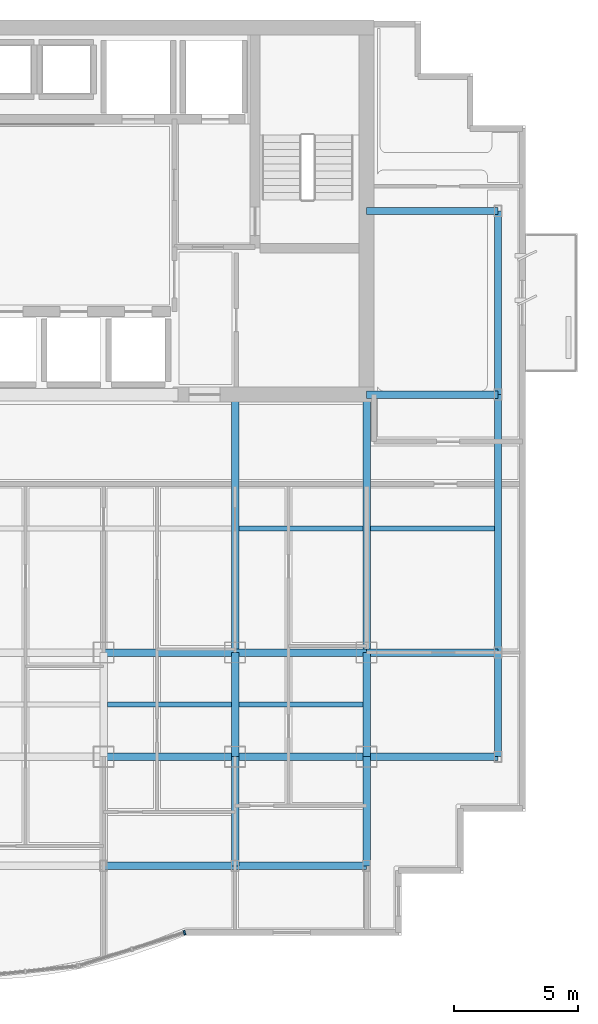
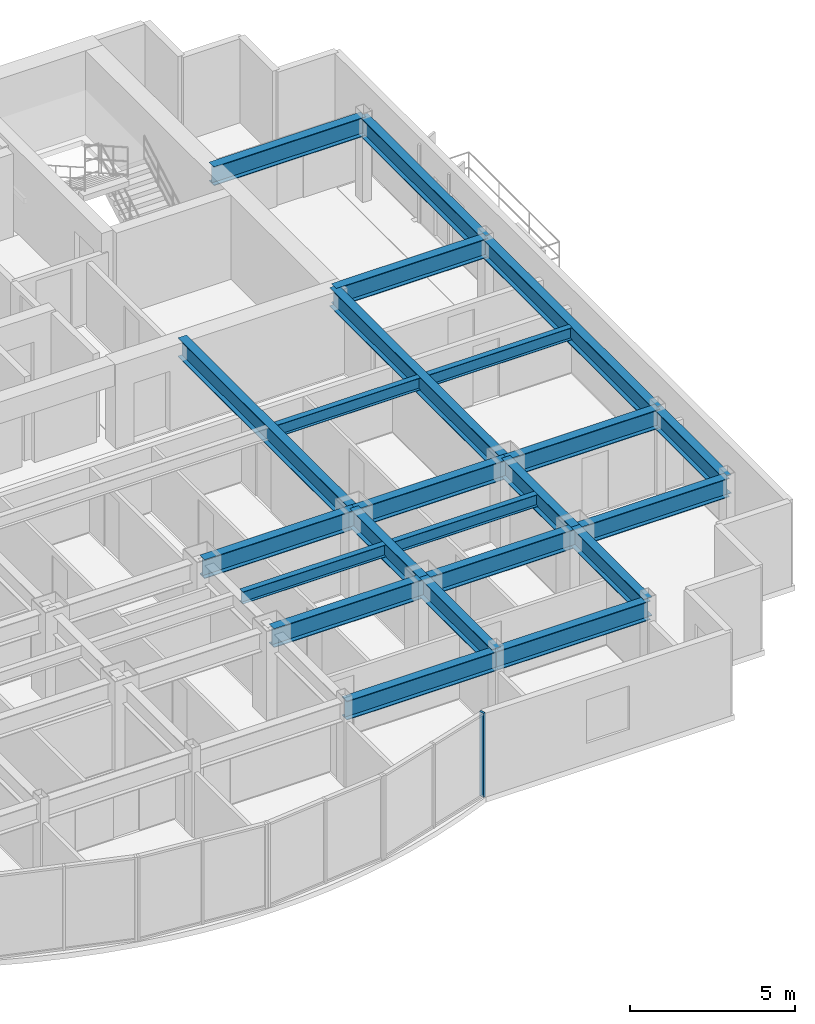
# One storey, part 4 of 11: 23 beams, 1 member, 1 element without a shape of its own.
"""IFC4 building model written with IfcOpenShell, lengths in metres."""

from ifc_helpers import new_model, si_unit, direction, frame, origin, origin_2d, place, context, subcontext, project, spatial, rectangle, i_section, extrude, source, transform, mapped, material, layer, layer_set, material_profile, profile_set, type_object, element, aggregate, save


model = new_model("IFC4")

# Units and contexts
model_context = context("Model", 3, precision=1e-05, world=origin(), true_north=direction((0.0, 1.0)))
body_context = subcontext(model_context, "Body", "Model", "MODEL_VIEW")
ifc_project = project(units=[si_unit("LENGTHUNIT", "METRE"), si_unit("AREAUNIT", "SQUARE_METRE"), si_unit("VOLUMEUNIT", "CUBIC_METRE"), si_unit("PLANEANGLEUNIT", "RADIAN"), si_unit("MASSUNIT", "GRAM", prefix="KILO")], contexts=[model_context])

# Site, building, storey
site_placement = place(None, origin())
site = spatial("IfcSite", under=ifc_project, at=site_placement, CompositionType="ELEMENT")
building_placement = place(site_placement, origin())
building = spatial("IfcBuilding", under=site, at=building_placement, Name="Qianlan Lanfeng Residences", CompositionType="ELEMENT")
storey_placement = place(building_placement, frame((0.0, 0.0, 175.5)))
storey = spatial("IfcBuildingStorey", under=building, at=storey_placement, Name="L48", CompositionType="ELEMENT", Elevation=175.5)

# Beams
ifc_material_1 = material(Name="Steel SN490B", Category="steel")
ifc_material_profile_1 = material_profile(ifc_material_1, i_section(OverallWidth=0.300048828125, OverallDepth=0.699951171875, WebThickness=0.012939453125, FlangeThickness=0.02392578125, at=origin_2d()), Name="H 700x300x13x24")
ifc_profile_set_1 = profile_set([ifc_material_profile_1], Name="Steel SN490B")
beam_type_1 = type_object("IfcBeamType", Name="G-750", PredefinedType="BEAM", material=ifc_profile_set_1)
beam_1_placement = place(storey_placement, frame((31.800048828125, 10.60009765625, 2.75), z_axis=(1.0, 0.0, 0.0), x_axis=(0.0, 1.0, 0.0)))
element("IfcBeam", 1, at=beam_1_placement, inside=storey, type_object=beam_type_1, Name="Structural beam G-750", PredefinedType="BEAM", context=body_context, shape_type="SweptSolid", body=[
    extrude(i_section(OverallWidth=0.300048828125, OverallDepth=0.699951171875, WebThickness=0.012939453125, FlangeThickness=0.02392578125, at=origin_2d()), origin(), (0.0, 0.0, 1.0), 5.300048828125),
])
beam_2_placement = place(storey_placement, frame((37.10009765625, 10.60009765625, 2.75), z_axis=(1.0, 0.0, 0.0), x_axis=(0.0, 1.0, 0.0)))
element("IfcBeam", 2, at=beam_2_placement, inside=storey, type_object=beam_type_1, Name="Structural beam G-750", PredefinedType="BEAM", context=body_context, shape_type="SweptSolid", body=[
    extrude(i_section(OverallWidth=0.300048828125, OverallDepth=0.699951171875, WebThickness=0.012939453125, FlangeThickness=0.02392578125, at=origin_2d()), origin(), (0.0, 0.0, 1.0), 5.2998046875),
])
for number, where, z_axis, x_axis, name in (
    (3, (42.39990234375, 10.60009765625, 2.75), (1.0, 0.0, 0.0), (0.0, 1.0, 0.0), "Structural beam G-750"),
    (4, (31.800048828125, 14.800048828125, 2.75), (1.0, 0.0, 0.0), (0.0, 1.0, 0.0), "Structural beam G-750"),
):
    element("IfcBeam", number, at=place(storey_placement, frame(where, z_axis=z_axis, x_axis=x_axis)), inside=storey, type_object=beam_type_1, Name=name, PredefinedType="BEAM", context=body_context, shape_type="SweptSolid", body=[
        extrude(i_section(OverallWidth=0.300048828125, OverallDepth=0.699951171875, WebThickness=0.012939453125, FlangeThickness=0.02392578125, at=origin_2d()), origin(), (0.0, 0.0, 1.0), 5.300048828125),
    ])
beam_3_placement = place(storey_placement, frame((37.10009765625, 14.800048828125, 2.75), z_axis=(1.0, 0.0, 0.0), x_axis=(0.0, 1.0, 0.0)))
element("IfcBeam", 5, at=beam_3_placement, inside=storey, type_object=beam_type_1, Name="Structural beam G-750", PredefinedType="BEAM", context=body_context, shape_type="SweptSolid", body=[
    extrude(i_section(OverallWidth=0.300048828125, OverallDepth=0.699951171875, WebThickness=0.012939453125, FlangeThickness=0.02392578125, at=origin_2d()), origin(), (0.0, 0.0, 1.0), 5.2998046875),
])
for number, where, z_axis, x_axis, name in (
    (6, (42.39990234375, 14.800048828125, 2.75), (1.0, 0.0, 0.0), (0.0, 1.0, 0.0), "Structural beam G-750"),
    (7, (42.39990234375, 25.199951171875, 2.75), (1.0, 0.0, 0.0), (0.0, 1.0, 0.0), "Structural beam G-750"),
    (8, (42.39990234375, 32.60009765625, 2.75), (1.0, 0.0, 0.0), (0.0, 1.0, 0.0), "Structural beam G-750"),
):
    element("IfcBeam", number, at=place(storey_placement, frame(where, z_axis=z_axis, x_axis=x_axis)), inside=storey, type_object=beam_type_1, Name=name, PredefinedType="BEAM", context=body_context, shape_type="SweptSolid", body=[
        extrude(i_section(OverallWidth=0.300048828125, OverallDepth=0.699951171875, WebThickness=0.012939453125, FlangeThickness=0.02392578125, at=origin_2d()), origin(), (0.0, 0.0, 1.0), 5.300048828125),
    ])
beam_4_placement = place(storey_placement, frame((37.10009765625, 6.199951171875, 2.75), z_axis=(0.0, 1.0, 0.0), x_axis=(-1.0, 0.0, 0.0)))
element("IfcBeam", 9, at=beam_4_placement, inside=storey, type_object=beam_type_1, Name="Structural beam G-750", PredefinedType="BEAM", context=body_context, shape_type="SweptSolid", body=[
    extrude(i_section(OverallWidth=0.300048828125, OverallDepth=0.699951171875, WebThickness=0.012939453125, FlangeThickness=0.02392578125, at=origin_2d()), origin(), (0.0, 0.0, 1.0), 4.400146484375),
])
beam_5_placement = place(storey_placement, frame((37.10009765625, 10.60009765625, 2.75), z_axis=(0.0, 1.0, 0.0), x_axis=(-1.0, 0.0, 0.0)))
element("IfcBeam", 10, at=beam_5_placement, inside=storey, type_object=beam_type_1, Name="Structural beam G-750", PredefinedType="BEAM", context=body_context, shape_type="SweptSolid", body=[
    extrude(i_section(OverallWidth=0.300048828125, OverallDepth=0.699951171875, WebThickness=0.012939453125, FlangeThickness=0.02392578125, at=origin_2d()), origin(), (0.0, 0.0, 1.0), 4.199951171875),
])
beam_6_placement = place(storey_placement, frame((37.10009765625, 14.800048828125, 2.75), z_axis=(0.0, 1.0, 0.0), x_axis=(-1.0, 0.0, 0.0)))
element("IfcBeam", 11, at=beam_6_placement, inside=storey, type_object=beam_type_1, Name="Structural beam G-750", PredefinedType="BEAM", context=body_context, shape_type="SweptSolid", body=[
    extrude(i_section(OverallWidth=0.300048828125, OverallDepth=0.699951171875, WebThickness=0.012939453125, FlangeThickness=0.02392578125, at=origin_2d()), origin(), (0.0, 0.0, 1.0), 10.39990234375),
])
beam_7_placement = place(storey_placement, frame((42.39990234375, 6.199951171875, 2.75), z_axis=(0.0, 1.0, 0.0), x_axis=(-1.0, 0.0, 0.0)))
element("IfcBeam", 12, at=beam_7_placement, inside=storey, type_object=beam_type_1, Name="Structural beam G-750", PredefinedType="BEAM", context=body_context, shape_type="SweptSolid", body=[
    extrude(i_section(OverallWidth=0.300048828125, OverallDepth=0.699951171875, WebThickness=0.012939453125, FlangeThickness=0.02392578125, at=origin_2d()), origin(), (0.0, 0.0, 1.0), 4.400146484375),
])
beam_8_placement = place(storey_placement, frame((42.39990234375, 10.60009765625, 2.75), z_axis=(0.0, 1.0, 0.0), x_axis=(-1.0, 0.0, 0.0)))
element("IfcBeam", 13, at=beam_8_placement, inside=storey, type_object=beam_type_1, Name="Structural beam G-750", PredefinedType="BEAM", context=body_context, shape_type="SweptSolid", body=[
    extrude(i_section(OverallWidth=0.300048828125, OverallDepth=0.699951171875, WebThickness=0.012939453125, FlangeThickness=0.02392578125, at=origin_2d()), origin(), (0.0, 0.0, 1.0), 4.199951171875),
])
beam_9_placement = place(storey_placement, frame((42.39990234375, 14.800048828125, 2.75), z_axis=(0.0, 1.0, 0.0), x_axis=(-1.0, 0.0, 0.0)))
element("IfcBeam", 14, at=beam_9_placement, inside=storey, type_object=beam_type_1, Name="Structural beam G-750", PredefinedType="BEAM", context=body_context, shape_type="SweptSolid", body=[
    extrude(i_section(OverallWidth=0.300048828125, OverallDepth=0.699951171875, WebThickness=0.012939453125, FlangeThickness=0.02392578125, at=origin_2d()), origin(), (0.0, 0.0, 1.0), 10.39990234375),
])
ifc_material_profile_2 = material_profile(ifc_material_1, i_section(OverallWidth=0.199951171875, OverallDepth=0.449951171875, WebThickness=0.009033203125, FlangeThickness=0.013916015625, at=origin_2d()), Name="H 450x200x9x14")
ifc_profile_set_2 = profile_set([ifc_material_profile_2], Name="Steel SN490B")
beam_type_2 = type_object("IfcBeamType", Name="J-450", PredefinedType="JOIST", material=ifc_profile_set_2)
for number, where, z_axis, x_axis, name in (
    (15, (31.949951171875, 12.699951171875, 2.875), (1.0, 0.0, 0.0), (0.0, 1.0, 0.0), "Structural beam J-450"),
    (16, (37.25, 12.699951171875, 2.875), (1.0, 0.0, 0.0), (0.0, 1.0, 0.0), "Structural beam J-450"),
    (17, (37.25, 19.800048828125, 2.875), (1.0, 0.0, 0.0), (0.0, 1.0, 0.0), "Structural beam J-450"),
    (18, (42.550048828125, 19.800048828125, 2.875), (1.0, 0.0, 0.0), (0.0, 1.0, 0.0), "Structural beam J-450"),
):
    element("IfcBeam", number, at=place(storey_placement, frame(where, z_axis=z_axis, x_axis=x_axis)), inside=storey, type_object=beam_type_2, Name=name, PredefinedType="JOIST", context=body_context, shape_type="SweptSolid", body=[
        extrude(i_section(OverallWidth=0.199951171875, OverallDepth=0.449951171875, WebThickness=0.009033203125, FlangeThickness=0.013916015625, at=origin_2d()), origin(), (0.0, 0.0, 1.0), 5.0),
    ])
ifc_material_profile_3 = material_profile(ifc_material_1, i_section(OverallWidth=0.300048828125, OverallDepth=0.699951171875, WebThickness=0.012939453125, FlangeThickness=0.02392578125, at=origin_2d()), Name="H 700x300x13x24")
ifc_profile_set_3 = profile_set([ifc_material_profile_3], Name="Steel SN490B")
beam_type_3 = type_object("IfcBeamType", Name="SG-750", PredefinedType="SPANDREL", material=ifc_profile_set_3)
beam_10_placement = place(storey_placement, frame((31.800048828125, 6.199951171875, 2.739990234375), z_axis=(1.0, 0.0, 0.0), x_axis=(0.0, 1.0, 0.0)))
element("IfcBeam", 19, at=beam_10_placement, inside=storey, type_object=beam_type_3, Name="Structural beam SG-750", PredefinedType="SPANDREL", context=body_context, shape_type="SweptSolid", body=[
    extrude(i_section(OverallWidth=0.300048828125, OverallDepth=0.699951171875, WebThickness=0.012939453125, FlangeThickness=0.02392578125, at=origin_2d()), origin(), (0.0, 0.0, 1.0), 5.300048828125),
])
beam_11_placement = place(storey_placement, frame((37.10009765625, 6.199951171875, 2.739990234375), z_axis=(1.0, 0.0, 0.0), x_axis=(0.0, 1.0, 0.0)))
element("IfcBeam", 20, at=beam_11_placement, inside=storey, type_object=beam_type_3, Name="Structural beam SG-750", PredefinedType="SPANDREL", context=body_context, shape_type="SweptSolid", body=[
    extrude(i_section(OverallWidth=0.300048828125, OverallDepth=0.699951171875, WebThickness=0.012939453125, FlangeThickness=0.02392578125, at=origin_2d()), origin(), (0.0, 0.0, 1.0), 5.2998046875),
])
beam_12_placement = place(storey_placement, frame((47.699951171875, 10.60009765625, 2.739990234375), z_axis=(0.0, 1.0, 0.0), x_axis=(-1.0, 0.0, 0.0)))
element("IfcBeam", 21, at=beam_12_placement, inside=storey, type_object=beam_type_3, Name="Structural beam SG-750", PredefinedType="SPANDREL", context=body_context, shape_type="SweptSolid", body=[
    extrude(i_section(OverallWidth=0.300048828125, OverallDepth=0.699951171875, WebThickness=0.012939453125, FlangeThickness=0.02392578125, at=origin_2d()), origin(), (0.0, 0.0, 1.0), 4.199951171875),
])
beam_13_placement = place(storey_placement, frame((47.699951171875, 14.800048828125, 2.739990234375), z_axis=(0.0, 1.0, 0.0), x_axis=(-1.0, 0.0, 0.0)))
element("IfcBeam", 22, at=beam_13_placement, inside=storey, type_object=beam_type_3, Name="Structural beam SG-750", PredefinedType="SPANDREL", context=body_context, shape_type="SweptSolid", body=[
    extrude(i_section(OverallWidth=0.300048828125, OverallDepth=0.699951171875, WebThickness=0.012939453125, FlangeThickness=0.02392578125, at=origin_2d()), origin(), (0.0, 0.0, 1.0), 10.39990234375),
])
beam_14_placement = place(storey_placement, frame((47.699951171875, 25.199951171875, 2.739990234375), z_axis=(0.0, 1.0, 0.0), x_axis=(-1.0, 0.0, 0.0)))
element("IfcBeam", 23, at=beam_14_placement, inside=storey, type_object=beam_type_3, Name="Structural beam SG-750", PredefinedType="SPANDREL", context=body_context, shape_type="SweptSolid", body=[
    extrude(i_section(OverallWidth=0.300048828125, OverallDepth=0.699951171875, WebThickness=0.012939453125, FlangeThickness=0.02392578125, at=origin_2d()), origin(), (0.0, 0.0, 1.0), 7.400146484375),
])

# Curtain wall, member
ifc_material_2 = material(Name="Anodised Bronze Aluminium 6063-T6", Category="aluminium")
ifc_layer = layer(ifc_material_2, 0.219970703125)
ifc_layer_set = layer_set([ifc_layer], Name="Anodised Bronze Aluminium 6063-T6")
curtain_wall_type = type_object("IfcCurtainWallType", Name="CW-04", PredefinedType="NOTDEFINED", material=ifc_layer_set)
curtain_wall_placement = place(storey_placement, origin())
curtain_wall = element("IfcCurtainWall", 24, at=curtain_wall_placement, inside=storey, type_object=curtain_wall_type, Name="L48 Unitised Curtain Wall CWR-L48-05 (CW-04)", PredefinedType="NOTDEFINED")
ifc_material_profile_4 = material_profile(ifc_material_2, rectangle(XDim=0.074951171875, YDim=0.179931640625, at=origin_2d()), Name="ALU MULLION 75x180")
ifc_profile_set_4 = profile_set([ifc_material_profile_4], Name="Anodised Bronze Aluminium 6063-T6")
member_type = type_object("IfcMemberType", Name="CWM-180", PredefinedType="MULLION", material=ifc_profile_set_4)
shared_shape = source(origin(), body_context, "Body", "SweptSolid", [
    extrude(rectangle(XDim=0.074951171875, YDim=0.179931640625, at=origin_2d()), origin(), (0.0, 0.0, 1.0), 3.10009765625),
])
member_placement = place(storey_placement, frame((35.061279296875, 3.5087890625, 0.0), z_axis=(0.0, 0.0, 1.0), x_axis=(0.954195954421, 0.299182353367, 0.0)))
member = element("IfcMember", 25, at=member_placement, type_object=member_type, Name="CWR-L48-05 Mullion 3", PredefinedType="MULLION", context=body_context, shape_type="MappedRepresentation", body=[
    mapped(shared_shape, transform((0.0, 0.0, 0.0), scale=1.0)),
])
aggregate(curtain_wall, [member])

save(model, "model.ifc")
